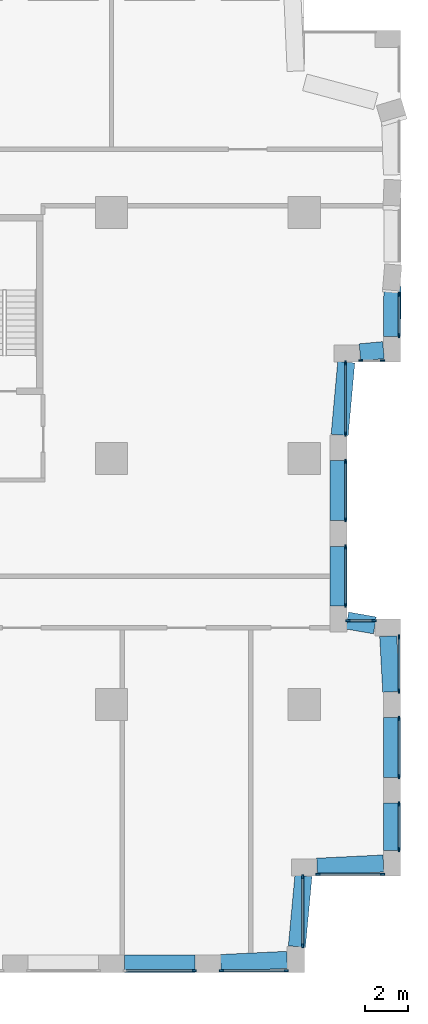
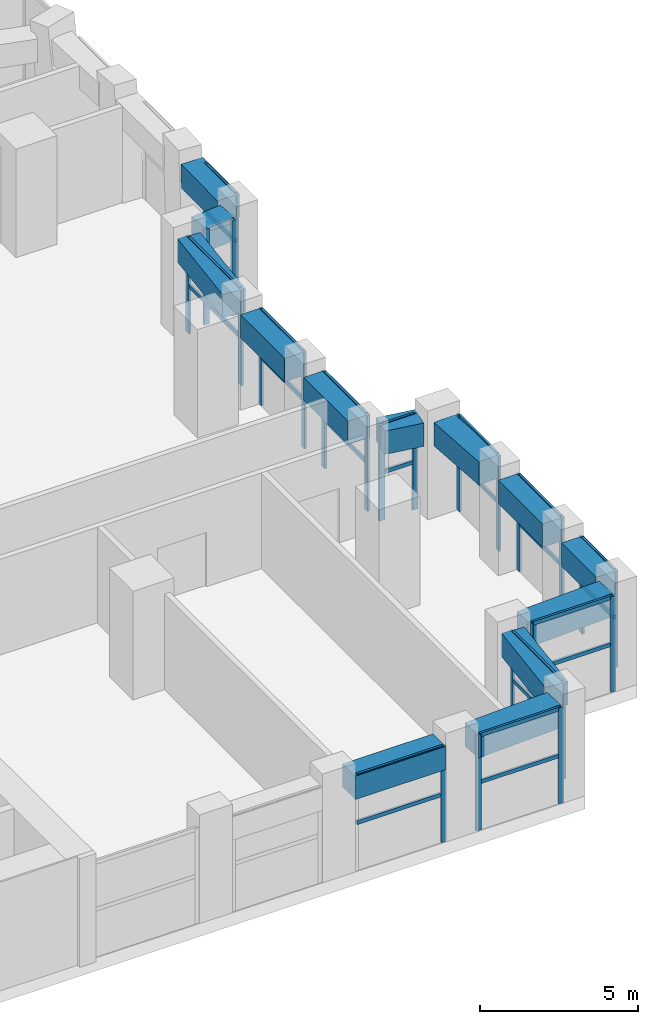
# One storey, part 10 of 20: 49 members, 13 beams, 13 elements without a shape of their own.
"""IFC4 building model written with IfcOpenShell, lengths in metres."""

from ifc_helpers import new_model, si_unit, direction, frame, origin, origin_2d, place, context, subcontext, project, spatial, rectangle, extrude, material, layer, layer_set, material_profile, profile_set, type_object, element, aggregate, save


model = new_model("IFC4")

# Units and contexts
model_context = context("Model", 3, precision=1e-05, world=origin(), true_north=direction((0.0, 1.0)))
body_context = subcontext(model_context, "Body", "Model", "MODEL_VIEW")
ifc_project = project(units=[si_unit("LENGTHUNIT", "METRE"), si_unit("AREAUNIT", "SQUARE_METRE"), si_unit("VOLUMEUNIT", "CUBIC_METRE"), si_unit("PLANEANGLEUNIT", "RADIAN"), si_unit("MASSUNIT", "GRAM", prefix="KILO")], contexts=[model_context])

# Site, building, storey
site_placement = place(None, origin())
site = spatial("IfcSite", under=ifc_project, at=site_placement, CompositionType="ELEMENT")
building_placement = place(site_placement, origin())
building = spatial("IfcBuilding", under=site, at=building_placement, Name="Brigalow Station Residences", CompositionType="ELEMENT")
storey_placement = place(building_placement, frame((0.0, 0.0, 73.050048828125)))
storey = spatial("IfcBuildingStorey", under=building, at=storey_placement, Name="L21", CompositionType="ELEMENT", Elevation=73.050048828125)

# Beams
ifc_material_1 = material(Name="Concrete C65", Category="concrete")
ifc_material_profile_1 = material_profile(ifc_material_1, rectangle(XDim=0.800048828125, YDim=0.89990234375, at=origin_2d()), Name="RC800x900")
ifc_profile_set_1 = profile_set([ifc_material_profile_1], Name="Concrete C65")
beam_type = type_object("IfcBeamType", Name="KINK TIE BEAM 800x900 C65", PredefinedType="BEAM", material=ifc_profile_set_1)
beam_1_placement = place(storey_placement, frame((63.60009765625, 0.39990234375, 3.25), z_axis=(1.0, 0.0, 0.0), x_axis=(0.0, 1.0, 0.0)))
element("IfcBeam", 1, at=beam_1_placement, inside=storey, type_object=beam_type, Name="KINK TIE BEAM 3 L21", PredefinedType="BEAM", context=body_context, shape_type="SweptSolid", body=[
    extrude(rectangle(XDim=0.800048828125, YDim=0.89990234375, at=origin_2d()), origin(), (0.0, 0.0, 1.0), 3.2998046875),
])
beam_2_placement = place(storey_placement, frame((68.10009765625, 0.42919921875, 3.25), z_axis=(0.99880992224, 0.048772320374, 0.0), x_axis=(-0.048772320374, 0.99880992224, 0.0)))
element("IfcBeam", 2, at=beam_2_placement, inside=storey, type_object=beam_type, Name="KINK TIE BEAM 4 L21", PredefinedType="BEAM", context=body_context, shape_type="SweptSolid", body=[
    extrude(rectangle(XDim=0.800048828125, YDim=0.89990234375, at=origin_2d()), origin(), (0.0, 0.0, 1.0), 3.103515625),
])
beam_3_placement = place(storey_placement, frame((71.65576171875, 1.199951171875, 3.25), z_axis=(0.09266752689, 0.995697107287, 0.0), x_axis=(-0.995697107287, 0.09266752689, 0.0)))
element("IfcBeam", 3, at=beam_3_placement, inside=storey, type_object=beam_type, Name="KINK TIE BEAM 5 L21", PredefinedType="BEAM", context=body_context, shape_type="SweptSolid", body=[
    extrude(rectangle(XDim=0.800048828125, YDim=0.89990234375, at=origin_2d()), origin(), (0.0, 0.0, 1.0), 3.314208984375),
])
beam_4_placement = place(storey_placement, frame((72.60009765625, 4.92919921875, 3.25), z_axis=(0.99880992224, 0.048772320374, 0.0), x_axis=(-0.048772320374, 0.99880992224, 0.0)))
element("IfcBeam", 4, at=beam_4_placement, inside=storey, type_object=beam_type, Name="KINK TIE BEAM 6 L21", PredefinedType="BEAM", context=body_context, shape_type="SweptSolid", body=[
    extrude(rectangle(XDim=0.800048828125, YDim=0.89990234375, at=origin_2d()), origin(), (0.0, 0.0, 1.0), 3.103515625),
])
beam_5_placement = place(storey_placement, frame((76.10009765625, 5.699951171875, 3.25), z_axis=(0.0, 1.0, 0.0), x_axis=(-1.0, 0.0, 0.0)))
element("IfcBeam", 5, at=beam_5_placement, inside=storey, type_object=beam_type, Name="KINK TIE BEAM 7 L21", PredefinedType="BEAM", context=body_context, shape_type="SweptSolid", body=[
    extrude(rectangle(XDim=0.800048828125, YDim=0.89990234375, at=origin_2d()), origin(), (0.0, 0.0, 1.0), 2.199951171875),
])
beam_6_placement = place(storey_placement, frame((76.10009765625, 9.10009765625, 3.25), z_axis=(0.0, 1.0, 0.0), x_axis=(-1.0, 0.0, 0.0)))
element("IfcBeam", 6, at=beam_6_placement, inside=storey, type_object=beam_type, Name="KINK TIE BEAM 8 L21", PredefinedType="BEAM", context=body_context, shape_type="SweptSolid", body=[
    extrude(rectangle(XDim=0.800048828125, YDim=0.89990234375, at=origin_2d()), origin(), (0.0, 0.0, 1.0), 2.7998046875),
])
beam_7_placement = place(storey_placement, frame((76.066650390625, 13.10009765625, 3.25), z_axis=(-0.055506369911, 0.998458333081, 0.0), x_axis=(-0.998458333081, -0.055506369911, 0.0)))
element("IfcBeam", 7, at=beam_7_placement, inside=storey, type_object=beam_type, Name="KINK TIE BEAM 9 L21", PredefinedType="BEAM", context=body_context, shape_type="SweptSolid", body=[
    extrude(rectangle(XDim=0.800048828125, YDim=0.89990234375, at=origin_2d()), origin(), (0.0, 0.0, 1.0), 2.603759765625),
])
beam_8_placement = place(storey_placement, frame((75.300048828125, 16.204345703125, 3.25), z_axis=(-0.985196723859, 0.171427580328, 0.0), x_axis=(-0.171427580328, -0.985196723859, 0.0)))
element("IfcBeam", 8, at=beam_8_placement, inside=storey, type_object=beam_type, Name="KINK TIE BEAM 10 L21", PredefinedType="BEAM", context=body_context, shape_type="SweptSolid", body=[
    extrude(rectangle(XDim=0.800048828125, YDim=0.89990234375, at=origin_2d()), origin(), (0.0, 0.0, 1.0), 1.311767578125),
])
for number, where, z_axis, x_axis, name in (
    (9, (73.60009765625, 17.10009765625, 3.25), (0.0, 1.0, 0.0), (-1.0, 0.0, 0.0), "KINK TIE BEAM 11 L21"),
    (10, (73.60009765625, 21.10009765625, 3.25), (0.0, 1.0, 0.0), (-1.0, 0.0, 0.0), "KINK TIE BEAM 12 L21"),
):
    element("IfcBeam", number, at=place(storey_placement, frame(where, z_axis=z_axis, x_axis=x_axis)), inside=storey, type_object=beam_type, Name=name, PredefinedType="BEAM", context=body_context, shape_type="SweptSolid", body=[
        extrude(rectangle(XDim=0.800048828125, YDim=0.89990234375, at=origin_2d()), origin(), (0.0, 0.0, 1.0), 2.7998046875),
    ])
beam_9_placement = place(storey_placement, frame((73.654541015625, 25.10009765625, 3.25), z_axis=(0.090535746043, 0.995893206468, 0.0), x_axis=(-0.995893206468, 0.090535746043, 0.0)))
element("IfcBeam", 11, at=beam_9_placement, inside=storey, type_object=beam_type, Name="KINK TIE BEAM 13 L21", PredefinedType="BEAM", context=body_context, shape_type="SweptSolid", body=[
    extrude(rectangle(XDim=0.800048828125, YDim=0.89990234375, at=origin_2d()), origin(), (0.0, 0.0, 1.0), 3.413818359375),
])
beam_10_placement = place(storey_placement, frame((74.60009765625, 28.95703125, 3.25), z_axis=(0.995475588161, 0.095017647705, 0.0), x_axis=(-0.095017647705, 0.995475588161, 0.0)))
element("IfcBeam", 12, at=beam_10_placement, inside=storey, type_object=beam_type, Name="KINK TIE BEAM 14 L21", PredefinedType="BEAM", context=body_context, shape_type="SweptSolid", body=[
    extrude(rectangle(XDim=0.800048828125, YDim=0.89990234375, at=origin_2d()), origin(), (0.0, 0.0, 1.0), 1.104736328125),
])
beam_11_placement = place(storey_placement, frame((76.103271484375, 29.699951171875, 3.25), z_axis=(0.005555469824, 0.999984568258, 0.0), x_axis=(-0.999984568258, 0.005555469824, 0.0)))
element("IfcBeam", 13, at=beam_11_placement, inside=storey, type_object=beam_type, Name="KINK TIE BEAM 15 L21", PredefinedType="BEAM", context=body_context, shape_type="SweptSolid", body=[
    extrude(rectangle(XDim=0.800048828125, YDim=0.89990234375, at=origin_2d()), origin(), (0.0, 0.0, 1.0), 2.3291015625),
])

# Curtain wall, member
ifc_material_2 = material(Name="Aluminium", Category="aluminium")
ifc_layer = layer(ifc_material_2, 0.199951171875)
ifc_layer_set = layer_set([ifc_layer], Name="REFUGE FLOOR LOUVRE CURTAIN WALL")
curtain_wall_type = type_object("IfcCurtainWallType", Name="REFUGE FLOOR LOUVRE CURTAIN WALL", PredefinedType="NOTDEFINED", material=ifc_layer_set)
curtain_wall_1_placement = place(storey_placement, origin())
curtain_wall_1 = element("IfcCurtainWall", 14, at=curtain_wall_1_placement, inside=storey, type_object=curtain_wall_type, Name="L21/cw/louvre-W-L21-5-6", PredefinedType="NOTDEFINED")
ifc_material_3 = material(Name="Aluminium", Category="aluminium")
ifc_material_profile_2 = material_profile(ifc_material_3, rectangle(XDim=0.080078125, YDim=0.199951171875, at=origin_2d()), Name="REFUGE FLOOR LOUVRE MULLION 80x200")
ifc_profile_set_2 = profile_set([ifc_material_profile_2], Name="Aluminium")
member_type_1 = type_object("IfcMemberType", Name="REFUGE FLOOR LOUVRE MULLION 80x200", PredefinedType="MULLION", material=ifc_profile_set_2)
member_1_placement = place(storey_placement, frame((66.860107421875, 0.074951171875, 0.0), z_axis=(0.0, 0.0, 1.0), x_axis=(0.0, 1.0, 0.0)))
member_1 = element("IfcMember", 15, at=member_1_placement, type_object=member_type_1, Name="L21/cw/louvre-W-L21-5-6/M01", PredefinedType="MULLION", context=body_context, shape_type="SweptSolid", body=[
    extrude(rectangle(XDim=0.080078125, YDim=0.199951171875, at=origin_2d()), origin(), (0.0, 0.0, 1.0), 3.699951171875),
])

# Curtain wall, members
curtain_wall_2_placement = place(storey_placement, origin())
curtain_wall_2 = element("IfcCurtainWall", 16, at=curtain_wall_2_placement, inside=storey, type_object=curtain_wall_type, Name="L21/cw/louvre-W-L21-5-7", PredefinedType="NOTDEFINED")
member_2_placement = place(storey_placement, frame((68.139892578125, 0.074951171875, 0.0), z_axis=(0.0, 0.0, 1.0), x_axis=(0.0, 1.0, 0.0)))
member_2 = element("IfcMember", 17, at=member_2_placement, type_object=member_type_1, Name="L21/cw/louvre-W-L21-5-7/M00", PredefinedType="MULLION", context=body_context, shape_type="SweptSolid", body=[
    extrude(rectangle(XDim=0.080078125, YDim=0.199951171875, at=origin_2d()), origin(), (0.0, 0.0, 1.0), 3.699951171875),
])
member_3_placement = place(storey_placement, frame((71.159912109375, 0.074951171875, 0.0), z_axis=(0.0, 0.0, 1.0), x_axis=(0.0, 1.0, 0.0)))
member_3 = element("IfcMember", 18, at=member_3_placement, type_object=member_type_1, Name="L21/cw/louvre-W-L21-5-7/M01", PredefinedType="MULLION", context=body_context, shape_type="SweptSolid", body=[
    extrude(rectangle(XDim=0.080078125, YDim=0.199951171875, at=origin_2d()), origin(), (0.0, 0.0, 1.0), 3.699951171875),
])

curtain_wall_3_placement = place(storey_placement, origin())
curtain_wall_3 = element("IfcCurtainWall", 19, at=curtain_wall_3_placement, inside=storey, type_object=curtain_wall_type, Name="L21/cw/louvre-W-L21-9-8", PredefinedType="NOTDEFINED")
member_4_placement = place(storey_placement, frame((71.925048828125, 1.239990234375, 0.0), z_axis=(0.0, 0.0, 1.0), x_axis=(-1.0, 0.0, 0.0)))
member_4 = element("IfcMember", 20, at=member_4_placement, type_object=member_type_1, Name="L21/cw/louvre-W-L21-9-8/M00", PredefinedType="MULLION", context=body_context, shape_type="SweptSolid", body=[
    extrude(rectangle(XDim=0.080078125, YDim=0.199951171875, at=origin_2d()), origin(), (0.0, 0.0, 1.0), 3.699951171875),
])
member_5_placement = place(storey_placement, frame((71.925048828125, 4.4599609375, 0.0), z_axis=(0.0, 0.0, 1.0), x_axis=(-1.0, 0.0, 0.0)))
member_5 = element("IfcMember", 21, at=member_5_placement, type_object=member_type_1, Name="L21/cw/louvre-W-L21-9-8/M01", PredefinedType="MULLION", context=body_context, shape_type="SweptSolid", body=[
    extrude(rectangle(XDim=0.080078125, YDim=0.199951171875, at=origin_2d()), origin(), (0.0, 0.0, 1.0), 3.699951171875),
])

curtain_wall_4_placement = place(storey_placement, origin())
curtain_wall_4 = element("IfcCurtainWall", 22, at=curtain_wall_4_placement, inside=storey, type_object=curtain_wall_type, Name="L21/cw/louvre-W-L21-10-9", PredefinedType="NOTDEFINED")
member_6_placement = place(storey_placement, frame((72.639892578125, 4.574951171875, 0.0), z_axis=(0.0, 0.0, 1.0), x_axis=(0.0, 1.0, 0.0)))
member_6 = element("IfcMember", 23, at=member_6_placement, type_object=member_type_1, Name="L21/cw/louvre-W-L21-10-9/M00", PredefinedType="MULLION", context=body_context, shape_type="SweptSolid", body=[
    extrude(rectangle(XDim=0.080078125, YDim=0.199951171875, at=origin_2d()), origin(), (0.0, 0.0, 1.0), 3.699951171875),
])
member_7_placement = place(storey_placement, frame((75.659912109375, 4.574951171875, 0.0), z_axis=(0.0, 0.0, 1.0), x_axis=(0.0, 1.0, 0.0)))
member_7 = element("IfcMember", 24, at=member_7_placement, type_object=member_type_1, Name="L21/cw/louvre-W-L21-10-9/M01", PredefinedType="MULLION", context=body_context, shape_type="SweptSolid", body=[
    extrude(rectangle(XDim=0.080078125, YDim=0.199951171875, at=origin_2d()), origin(), (0.0, 0.0, 1.0), 3.699951171875),
])

curtain_wall_5_placement = place(storey_placement, origin())
curtain_wall_5 = element("IfcCurtainWall", 25, at=curtain_wall_5_placement, inside=storey, type_object=curtain_wall_type, Name="L21/cw/louvre-W-L21-11-10", PredefinedType="NOTDEFINED")
member_8_placement = place(storey_placement, frame((76.425048828125, 5.739990234375, 0.0), z_axis=(0.0, 0.0, 1.0), x_axis=(-1.0, 0.0, 0.0)))
member_8 = element("IfcMember", 26, at=member_8_placement, type_object=member_type_1, Name="L21/cw/louvre-W-L21-11-10/M00", PredefinedType="MULLION", context=body_context, shape_type="SweptSolid", body=[
    extrude(rectangle(XDim=0.080078125, YDim=0.199951171875, at=origin_2d()), origin(), (0.0, 0.0, 1.0), 3.699951171875),
])
member_9_placement = place(storey_placement, frame((76.425048828125, 7.860107421875, 0.0), z_axis=(0.0, 0.0, 1.0), x_axis=(-1.0, 0.0, 0.0)))
member_9 = element("IfcMember", 27, at=member_9_placement, type_object=member_type_1, Name="L21/cw/louvre-W-L21-11-10/M01", PredefinedType="MULLION", context=body_context, shape_type="SweptSolid", body=[
    extrude(rectangle(XDim=0.080078125, YDim=0.199951171875, at=origin_2d()), origin(), (0.0, 0.0, 1.0), 3.699951171875),
])

curtain_wall_6_placement = place(storey_placement, origin())
curtain_wall_6 = element("IfcCurtainWall", 28, at=curtain_wall_6_placement, inside=storey, type_object=curtain_wall_type, Name="L21/cw/louvre-W-L21-11-11", PredefinedType="NOTDEFINED")
member_10_placement = place(storey_placement, frame((76.425048828125, 9.139892578125, 0.0), z_axis=(0.0, 0.0, 1.0), x_axis=(-1.0, 0.0, 0.0)))
member_10 = element("IfcMember", 29, at=member_10_placement, type_object=member_type_1, Name="L21/cw/louvre-W-L21-11-11/M00", PredefinedType="MULLION", context=body_context, shape_type="SweptSolid", body=[
    extrude(rectangle(XDim=0.080078125, YDim=0.199951171875, at=origin_2d()), origin(), (0.0, 0.0, 1.0), 3.699951171875),
])
member_11_placement = place(storey_placement, frame((76.425048828125, 11.860107421875, 0.0), z_axis=(0.0, 0.0, 1.0), x_axis=(-1.0, 0.0, 0.0)))
member_11 = element("IfcMember", 30, at=member_11_placement, type_object=member_type_1, Name="L21/cw/louvre-W-L21-11-11/M01", PredefinedType="MULLION", context=body_context, shape_type="SweptSolid", body=[
    extrude(rectangle(XDim=0.080078125, YDim=0.199951171875, at=origin_2d()), origin(), (0.0, 0.0, 1.0), 3.699951171875),
])

curtain_wall_7_placement = place(storey_placement, origin())
curtain_wall_7 = element("IfcCurtainWall", 31, at=curtain_wall_7_placement, inside=storey, type_object=curtain_wall_type, Name="L21/cw/louvre-W-L21-11-12", PredefinedType="NOTDEFINED")
member_12_placement = place(storey_placement, frame((76.425048828125, 13.139892578125, 0.0), z_axis=(0.0, 0.0, 1.0), x_axis=(-1.0, 0.0, 0.0)))
member_12 = element("IfcMember", 32, at=member_12_placement, type_object=member_type_1, Name="L21/cw/louvre-W-L21-11-12/M00", PredefinedType="MULLION", context=body_context, shape_type="SweptSolid", body=[
    extrude(rectangle(XDim=0.080078125, YDim=0.199951171875, at=origin_2d()), origin(), (0.0, 0.0, 1.0), 3.699951171875),
])
member_13_placement = place(storey_placement, frame((76.425048828125, 15.659912109375, 0.0), z_axis=(0.0, 0.0, 1.0), x_axis=(-1.0, 0.0, 0.0)))
member_13 = element("IfcMember", 33, at=member_13_placement, type_object=member_type_1, Name="L21/cw/louvre-W-L21-11-12/M01", PredefinedType="MULLION", context=body_context, shape_type="SweptSolid", body=[
    extrude(rectangle(XDim=0.080078125, YDim=0.199951171875, at=origin_2d()), origin(), (0.0, 0.0, 1.0), 3.699951171875),
])

curtain_wall_8_placement = place(storey_placement, origin())
curtain_wall_8 = element("IfcCurtainWall", 34, at=curtain_wall_8_placement, inside=storey, type_object=curtain_wall_type, Name="L21/cw/louvre-W-L21-14-13", PredefinedType="NOTDEFINED")
member_14_placement = place(storey_placement, frame((75.260009765625, 16.425048828125, 0.0), z_axis=(0.0, 0.0, 1.0), x_axis=(0.0, -1.0, 0.0)))
member_14 = element("IfcMember", 35, at=member_14_placement, type_object=member_type_1, Name="L21/cw/louvre-W-L21-14-13/M00", PredefinedType="MULLION", context=body_context, shape_type="SweptSolid", body=[
    extrude(rectangle(XDim=0.080078125, YDim=0.199951171875, at=origin_2d()), origin(), (0.0, 0.0, 1.0), 3.699951171875),
])
member_15_placement = place(storey_placement, frame((74.0400390625, 16.425048828125, 0.0), z_axis=(0.0, 0.0, 1.0), x_axis=(0.0, -1.0, 0.0)))
member_15 = element("IfcMember", 36, at=member_15_placement, type_object=member_type_1, Name="L21/cw/louvre-W-L21-14-13/M01", PredefinedType="MULLION", context=body_context, shape_type="SweptSolid", body=[
    extrude(rectangle(XDim=0.080078125, YDim=0.199951171875, at=origin_2d()), origin(), (0.0, 0.0, 1.0), 3.699951171875),
])

curtain_wall_9_placement = place(storey_placement, origin())
curtain_wall_9 = element("IfcCurtainWall", 37, at=curtain_wall_9_placement, inside=storey, type_object=curtain_wall_type, Name="L21/cw/louvre-W-L21-15-14", PredefinedType="NOTDEFINED")
member_16_placement = place(storey_placement, frame((73.925048828125, 17.139892578125, 0.0), z_axis=(0.0, 0.0, 1.0), x_axis=(-1.0, 0.0, 0.0)))
member_16 = element("IfcMember", 38, at=member_16_placement, type_object=member_type_1, Name="L21/cw/louvre-W-L21-15-14/M00", PredefinedType="MULLION", context=body_context, shape_type="SweptSolid", body=[
    extrude(rectangle(XDim=0.080078125, YDim=0.199951171875, at=origin_2d()), origin(), (0.0, 0.0, 1.0), 3.699951171875),
])
member_17_placement = place(storey_placement, frame((73.925048828125, 19.860107421875, 0.0), z_axis=(0.0, 0.0, 1.0), x_axis=(-1.0, 0.0, 0.0)))
member_17 = element("IfcMember", 39, at=member_17_placement, type_object=member_type_1, Name="L21/cw/louvre-W-L21-15-14/M01", PredefinedType="MULLION", context=body_context, shape_type="SweptSolid", body=[
    extrude(rectangle(XDim=0.080078125, YDim=0.199951171875, at=origin_2d()), origin(), (0.0, 0.0, 1.0), 3.699951171875),
])

curtain_wall_10_placement = place(storey_placement, origin())
curtain_wall_10 = element("IfcCurtainWall", 40, at=curtain_wall_10_placement, inside=storey, type_object=curtain_wall_type, Name="L21/cw/louvre-W-L21-15-15", PredefinedType="NOTDEFINED")
member_18_placement = place(storey_placement, frame((73.925048828125, 21.139892578125, 0.0), z_axis=(0.0, 0.0, 1.0), x_axis=(-1.0, 0.0, 0.0)))
member_18 = element("IfcMember", 41, at=member_18_placement, type_object=member_type_1, Name="L21/cw/louvre-W-L21-15-15/M00", PredefinedType="MULLION", context=body_context, shape_type="SweptSolid", body=[
    extrude(rectangle(XDim=0.080078125, YDim=0.199951171875, at=origin_2d()), origin(), (0.0, 0.0, 1.0), 3.699951171875),
])
member_19_placement = place(storey_placement, frame((73.925048828125, 23.860107421875, 0.0), z_axis=(0.0, 0.0, 1.0), x_axis=(-1.0, 0.0, 0.0)))
member_19 = element("IfcMember", 42, at=member_19_placement, type_object=member_type_1, Name="L21/cw/louvre-W-L21-15-15/M01", PredefinedType="MULLION", context=body_context, shape_type="SweptSolid", body=[
    extrude(rectangle(XDim=0.080078125, YDim=0.199951171875, at=origin_2d()), origin(), (0.0, 0.0, 1.0), 3.699951171875),
])

curtain_wall_11_placement = place(storey_placement, origin())
curtain_wall_11 = element("IfcCurtainWall", 43, at=curtain_wall_11_placement, inside=storey, type_object=curtain_wall_type, Name="L21/cw/louvre-W-L21-15-16", PredefinedType="NOTDEFINED")
member_20_placement = place(storey_placement, frame((73.925048828125, 25.139892578125, 0.0), z_axis=(0.0, 0.0, 1.0), x_axis=(-1.0, 0.0, 0.0)))
member_20 = element("IfcMember", 44, at=member_20_placement, type_object=member_type_1, Name="L21/cw/louvre-W-L21-15-16/M00", PredefinedType="MULLION", context=body_context, shape_type="SweptSolid", body=[
    extrude(rectangle(XDim=0.080078125, YDim=0.199951171875, at=origin_2d()), origin(), (0.0, 0.0, 1.0), 3.699951171875),
])
member_21_placement = place(storey_placement, frame((73.925048828125, 28.4599609375, 0.0), z_axis=(0.0, 0.0, 1.0), x_axis=(-1.0, 0.0, 0.0)))
member_21 = element("IfcMember", 45, at=member_21_placement, type_object=member_type_1, Name="L21/cw/louvre-W-L21-15-16/M01", PredefinedType="MULLION", context=body_context, shape_type="SweptSolid", body=[
    extrude(rectangle(XDim=0.080078125, YDim=0.199951171875, at=origin_2d()), origin(), (0.0, 0.0, 1.0), 3.699951171875),
])

curtain_wall_12_placement = place(storey_placement, origin())
curtain_wall_12 = element("IfcCurtainWall", 46, at=curtain_wall_12_placement, inside=storey, type_object=curtain_wall_type, Name="L21/cw/louvre-W-L21-18-17", PredefinedType="NOTDEFINED")
member_22_placement = place(storey_placement, frame((74.639892578125, 28.574951171875, 0.0), z_axis=(0.0, 0.0, 1.0), x_axis=(0.0, 1.0, 0.0)))
member_22 = element("IfcMember", 47, at=member_22_placement, type_object=member_type_1, Name="L21/cw/louvre-W-L21-18-17/M00", PredefinedType="MULLION", context=body_context, shape_type="SweptSolid", body=[
    extrude(rectangle(XDim=0.080078125, YDim=0.199951171875, at=origin_2d()), origin(), (0.0, 0.0, 1.0), 3.699951171875),
])
member_23_placement = place(storey_placement, frame((75.659912109375, 28.574951171875, 0.0), z_axis=(0.0, 0.0, 1.0), x_axis=(0.0, 1.0, 0.0)))
member_23 = element("IfcMember", 48, at=member_23_placement, type_object=member_type_1, Name="L21/cw/louvre-W-L21-18-17/M01", PredefinedType="MULLION", context=body_context, shape_type="SweptSolid", body=[
    extrude(rectangle(XDim=0.080078125, YDim=0.199951171875, at=origin_2d()), origin(), (0.0, 0.0, 1.0), 3.699951171875),
])
aggregate(curtain_wall_12, [member_22, member_23])

curtain_wall_13_placement = place(storey_placement, origin())
curtain_wall_13 = element("IfcCurtainWall", 49, at=curtain_wall_13_placement, inside=storey, type_object=curtain_wall_type, Name="L21/cw/louvre-W-L21-19-18", PredefinedType="NOTDEFINED")
member_24_placement = place(storey_placement, frame((76.425048828125, 29.739990234375, 0.0), z_axis=(0.0, 0.0, 1.0), x_axis=(-1.0, 0.0, 0.0)))
member_24 = element("IfcMember", 50, at=member_24_placement, type_object=member_type_1, Name="L21/cw/louvre-W-L21-19-18/M00", PredefinedType="MULLION", context=body_context, shape_type="SweptSolid", body=[
    extrude(rectangle(XDim=0.080078125, YDim=0.199951171875, at=origin_2d()), origin(), (0.0, 0.0, 1.0), 3.699951171875),
])
member_25_placement = place(storey_placement, frame((76.425048828125, 31.654541015625, 0.0), z_axis=(0.0, 0.0, 1.0), x_axis=(-1.0, 0.0, 0.0)))
member_25 = element("IfcMember", 51, at=member_25_placement, type_object=member_type_1, Name="L21/cw/louvre-W-L21-19-18/M01", PredefinedType="MULLION", context=body_context, shape_type="SweptSolid", body=[
    extrude(rectangle(XDim=0.080078125, YDim=0.199951171875, at=origin_2d()), origin(), (0.0, 0.0, 1.0), 3.699951171875),
])

# Member
ifc_material_4 = material(Name="Aluminium", Category="aluminium")
ifc_material_profile_3 = material_profile(ifc_material_4, rectangle(XDim=0.080078125, YDim=0.14990234375, at=origin_2d()), Name="REFUGE FLOOR LOUVRE TRANSOM 80x150")
ifc_profile_set_3 = profile_set([ifc_material_profile_3], Name="Aluminium")
member_type_2 = type_object("IfcMemberType", Name="REFUGE FLOOR LOUVRE TRANSOM 80x150", PredefinedType="USERDEFINED", material=ifc_profile_set_3)
member_26_placement = place(storey_placement, frame((63.679931640625, 0.074951171875, 1.849853515625), z_axis=(1.0, 0.0, 0.0), x_axis=(0.0, 1.0, 0.0)))
member_26 = element("IfcMember", 52, at=member_26_placement, type_object=member_type_2, Name="L21/cw/louvre-W-L21-5-6/T00-00", ObjectType="TRANSOM", PredefinedType="USERDEFINED", context=body_context, shape_type="SweptSolid", body=[
    extrude(rectangle(XDim=0.080078125, YDim=0.14990234375, at=origin_2d()), origin(), (0.0, 0.0, 1.0), 3.14013671875),
])

member_27_placement = place(storey_placement, frame((63.679931640625, 0.074951171875, 3.659912109375), z_axis=(1.0, 0.0, 0.0), x_axis=(0.0, 1.0, 0.0)))
member_27 = element("IfcMember", 53, at=member_27_placement, type_object=member_type_2, Name="L21/cw/louvre-W-L21-5-6/T00-01", ObjectType="TRANSOM", PredefinedType="USERDEFINED", context=body_context, shape_type="SweptSolid", body=[
    extrude(rectangle(XDim=0.080078125, YDim=0.14990234375, at=origin_2d()), origin(), (0.0, 0.0, 1.0), 3.14013671875),
])

aggregate(curtain_wall_1, [member_1, member_26, member_27])

member_28_placement = place(storey_placement, frame((68.179931640625, 0.074951171875, 1.849853515625), z_axis=(1.0, 0.0, 0.0), x_axis=(0.0, 1.0, 0.0)))
member_28 = element("IfcMember", 54, at=member_28_placement, type_object=member_type_2, Name="L21/cw/louvre-W-L21-5-7/T00-00", ObjectType="TRANSOM", PredefinedType="USERDEFINED", context=body_context, shape_type="SweptSolid", body=[
    extrude(rectangle(XDim=0.080078125, YDim=0.14990234375, at=origin_2d()), origin(), (0.0, 0.0, 1.0), 2.940185546875),
])

member_29_placement = place(storey_placement, frame((68.179931640625, 0.074951171875, 3.659912109375), z_axis=(1.0, 0.0, 0.0), x_axis=(0.0, 1.0, 0.0)))
member_29 = element("IfcMember", 55, at=member_29_placement, type_object=member_type_2, Name="L21/cw/louvre-W-L21-5-7/T00-01", ObjectType="TRANSOM", PredefinedType="USERDEFINED", context=body_context, shape_type="SweptSolid", body=[
    extrude(rectangle(XDim=0.080078125, YDim=0.14990234375, at=origin_2d()), origin(), (0.0, 0.0, 1.0), 2.940185546875),
])

aggregate(curtain_wall_2, [member_2, member_3, member_28, member_29])

member_30_placement = place(storey_placement, frame((71.925048828125, 1.280029296875, 1.849853515625), z_axis=(0.0, 1.0, 0.0), x_axis=(-1.0, 0.0, 0.0)))
member_30 = element("IfcMember", 56, at=member_30_placement, type_object=member_type_2, Name="L21/cw/louvre-W-L21-9-8/T00-00", ObjectType="TRANSOM", PredefinedType="USERDEFINED", context=body_context, shape_type="SweptSolid", body=[
    extrude(rectangle(XDim=0.080078125, YDim=0.14990234375, at=origin_2d()), origin(), (0.0, 0.0, 1.0), 3.139892578125),
])

member_31_placement = place(storey_placement, frame((71.925048828125, 1.280029296875, 3.659912109375), z_axis=(0.0, 1.0, 0.0), x_axis=(-1.0, 0.0, 0.0)))
member_31 = element("IfcMember", 57, at=member_31_placement, type_object=member_type_2, Name="L21/cw/louvre-W-L21-9-8/T00-01", ObjectType="TRANSOM", PredefinedType="USERDEFINED", context=body_context, shape_type="SweptSolid", body=[
    extrude(rectangle(XDim=0.080078125, YDim=0.14990234375, at=origin_2d()), origin(), (0.0, 0.0, 1.0), 3.139892578125),
])

aggregate(curtain_wall_3, [member_4, member_5, member_30, member_31])

member_32_placement = place(storey_placement, frame((72.679931640625, 4.574951171875, 1.849853515625), z_axis=(1.0, 0.0, 0.0), x_axis=(0.0, 1.0, 0.0)))
member_32 = element("IfcMember", 58, at=member_32_placement, type_object=member_type_2, Name="L21/cw/louvre-W-L21-10-9/T00-00", ObjectType="TRANSOM", PredefinedType="USERDEFINED", context=body_context, shape_type="SweptSolid", body=[
    extrude(rectangle(XDim=0.080078125, YDim=0.14990234375, at=origin_2d()), origin(), (0.0, 0.0, 1.0), 2.940185546875),
])

member_33_placement = place(storey_placement, frame((72.679931640625, 4.574951171875, 3.659912109375), z_axis=(1.0, 0.0, 0.0), x_axis=(0.0, 1.0, 0.0)))
member_33 = element("IfcMember", 59, at=member_33_placement, type_object=member_type_2, Name="L21/cw/louvre-W-L21-10-9/T00-01", ObjectType="TRANSOM", PredefinedType="USERDEFINED", context=body_context, shape_type="SweptSolid", body=[
    extrude(rectangle(XDim=0.080078125, YDim=0.14990234375, at=origin_2d()), origin(), (0.0, 0.0, 1.0), 2.940185546875),
])

aggregate(curtain_wall_4, [member_6, member_7, member_32, member_33])

member_34_placement = place(storey_placement, frame((76.425048828125, 5.780029296875, 1.849853515625), z_axis=(0.0, 1.0, 0.0), x_axis=(-1.0, 0.0, 0.0)))
member_34 = element("IfcMember", 60, at=member_34_placement, type_object=member_type_2, Name="L21/cw/louvre-W-L21-11-10/T00-00", ObjectType="TRANSOM", PredefinedType="USERDEFINED", context=body_context, shape_type="SweptSolid", body=[
    extrude(rectangle(XDim=0.080078125, YDim=0.14990234375, at=origin_2d()), origin(), (0.0, 0.0, 1.0), 2.0400390625),
])

member_35_placement = place(storey_placement, frame((76.425048828125, 5.780029296875, 3.659912109375), z_axis=(0.0, 1.0, 0.0), x_axis=(-1.0, 0.0, 0.0)))
member_35 = element("IfcMember", 61, at=member_35_placement, type_object=member_type_2, Name="L21/cw/louvre-W-L21-11-10/T00-01", ObjectType="TRANSOM", PredefinedType="USERDEFINED", context=body_context, shape_type="SweptSolid", body=[
    extrude(rectangle(XDim=0.080078125, YDim=0.14990234375, at=origin_2d()), origin(), (0.0, 0.0, 1.0), 2.0400390625),
])

aggregate(curtain_wall_5, [member_8, member_9, member_34, member_35])

member_36_placement = place(storey_placement, frame((76.425048828125, 9.179931640625, 1.849853515625), z_axis=(0.0, 1.0, 0.0), x_axis=(-1.0, 0.0, 0.0)))
member_36 = element("IfcMember", 62, at=member_36_placement, type_object=member_type_2, Name="L21/cw/louvre-W-L21-11-11/T00-00", ObjectType="TRANSOM", PredefinedType="USERDEFINED", context=body_context, shape_type="SweptSolid", body=[
    extrude(rectangle(XDim=0.080078125, YDim=0.14990234375, at=origin_2d()), origin(), (0.0, 0.0, 1.0), 2.64013671875),
])

member_37_placement = place(storey_placement, frame((76.425048828125, 9.179931640625, 3.659912109375), z_axis=(0.0, 1.0, 0.0), x_axis=(-1.0, 0.0, 0.0)))
member_37 = element("IfcMember", 63, at=member_37_placement, type_object=member_type_2, Name="L21/cw/louvre-W-L21-11-11/T00-01", ObjectType="TRANSOM", PredefinedType="USERDEFINED", context=body_context, shape_type="SweptSolid", body=[
    extrude(rectangle(XDim=0.080078125, YDim=0.14990234375, at=origin_2d()), origin(), (0.0, 0.0, 1.0), 2.64013671875),
])

aggregate(curtain_wall_6, [member_10, member_11, member_36, member_37])

member_38_placement = place(storey_placement, frame((76.425048828125, 13.179931640625, 1.849853515625), z_axis=(0.0, 1.0, 0.0), x_axis=(-1.0, 0.0, 0.0)))
member_38 = element("IfcMember", 64, at=member_38_placement, type_object=member_type_2, Name="L21/cw/louvre-W-L21-11-12/T00-00", ObjectType="TRANSOM", PredefinedType="USERDEFINED", context=body_context, shape_type="SweptSolid", body=[
    extrude(rectangle(XDim=0.080078125, YDim=0.14990234375, at=origin_2d()), origin(), (0.0, 0.0, 1.0), 2.440185546875),
])

member_39_placement = place(storey_placement, frame((76.425048828125, 13.179931640625, 3.659912109375), z_axis=(0.0, 1.0, 0.0), x_axis=(-1.0, 0.0, 0.0)))
member_39 = element("IfcMember", 65, at=member_39_placement, type_object=member_type_2, Name="L21/cw/louvre-W-L21-11-12/T00-01", ObjectType="TRANSOM", PredefinedType="USERDEFINED", context=body_context, shape_type="SweptSolid", body=[
    extrude(rectangle(XDim=0.080078125, YDim=0.14990234375, at=origin_2d()), origin(), (0.0, 0.0, 1.0), 2.440185546875),
])

aggregate(curtain_wall_7, [member_12, member_13, member_38, member_39])

member_40_placement = place(storey_placement, frame((75.219970703125, 16.425048828125, 1.849853515625), z_axis=(-1.0, 0.0, 0.0), x_axis=(0.0, -1.0, 0.0)))
member_40 = element("IfcMember", 66, at=member_40_placement, type_object=member_type_2, Name="L21/cw/louvre-W-L21-14-13/T00-00", ObjectType="TRANSOM", PredefinedType="USERDEFINED", context=body_context, shape_type="SweptSolid", body=[
    extrude(rectangle(XDim=0.080078125, YDim=0.14990234375, at=origin_2d()), origin(), (0.0, 0.0, 1.0), 1.139892578125),
])

member_41_placement = place(storey_placement, frame((75.219970703125, 16.425048828125, 3.659912109375), z_axis=(-1.0, 0.0, 0.0), x_axis=(0.0, -1.0, 0.0)))
member_41 = element("IfcMember", 67, at=member_41_placement, type_object=member_type_2, Name="L21/cw/louvre-W-L21-14-13/T00-01", ObjectType="TRANSOM", PredefinedType="USERDEFINED", context=body_context, shape_type="SweptSolid", body=[
    extrude(rectangle(XDim=0.080078125, YDim=0.14990234375, at=origin_2d()), origin(), (0.0, 0.0, 1.0), 1.139892578125),
])

aggregate(curtain_wall_8, [member_14, member_15, member_40, member_41])

member_42_placement = place(storey_placement, frame((73.925048828125, 17.179931640625, 1.849853515625), z_axis=(0.0, 1.0, 0.0), x_axis=(-1.0, 0.0, 0.0)))
member_42 = element("IfcMember", 68, at=member_42_placement, type_object=member_type_2, Name="L21/cw/louvre-W-L21-15-14/T00-00", ObjectType="TRANSOM", PredefinedType="USERDEFINED", context=body_context, shape_type="SweptSolid", body=[
    extrude(rectangle(XDim=0.080078125, YDim=0.14990234375, at=origin_2d()), origin(), (0.0, 0.0, 1.0), 2.64013671875),
])

member_43_placement = place(storey_placement, frame((73.925048828125, 17.179931640625, 3.659912109375), z_axis=(0.0, 1.0, 0.0), x_axis=(-1.0, 0.0, 0.0)))
member_43 = element("IfcMember", 69, at=member_43_placement, type_object=member_type_2, Name="L21/cw/louvre-W-L21-15-14/T00-01", ObjectType="TRANSOM", PredefinedType="USERDEFINED", context=body_context, shape_type="SweptSolid", body=[
    extrude(rectangle(XDim=0.080078125, YDim=0.14990234375, at=origin_2d()), origin(), (0.0, 0.0, 1.0), 2.64013671875),
])

aggregate(curtain_wall_9, [member_16, member_17, member_42, member_43])

member_44_placement = place(storey_placement, frame((73.925048828125, 21.179931640625, 1.849853515625), z_axis=(0.0, 1.0, 0.0), x_axis=(-1.0, 0.0, 0.0)))
member_44 = element("IfcMember", 70, at=member_44_placement, type_object=member_type_2, Name="L21/cw/louvre-W-L21-15-15/T00-00", ObjectType="TRANSOM", PredefinedType="USERDEFINED", context=body_context, shape_type="SweptSolid", body=[
    extrude(rectangle(XDim=0.080078125, YDim=0.14990234375, at=origin_2d()), origin(), (0.0, 0.0, 1.0), 2.64013671875),
])

member_45_placement = place(storey_placement, frame((73.925048828125, 21.179931640625, 3.659912109375), z_axis=(0.0, 1.0, 0.0), x_axis=(-1.0, 0.0, 0.0)))
member_45 = element("IfcMember", 71, at=member_45_placement, type_object=member_type_2, Name="L21/cw/louvre-W-L21-15-15/T00-01", ObjectType="TRANSOM", PredefinedType="USERDEFINED", context=body_context, shape_type="SweptSolid", body=[
    extrude(rectangle(XDim=0.080078125, YDim=0.14990234375, at=origin_2d()), origin(), (0.0, 0.0, 1.0), 2.64013671875),
])

aggregate(curtain_wall_10, [member_18, member_19, member_44, member_45])

member_46_placement = place(storey_placement, frame((73.925048828125, 25.179931640625, 1.849853515625), z_axis=(0.0, 1.0, 0.0), x_axis=(-1.0, 0.0, 0.0)))
member_46 = element("IfcMember", 72, at=member_46_placement, type_object=member_type_2, Name="L21/cw/louvre-W-L21-15-16/T00-00", ObjectType="TRANSOM", PredefinedType="USERDEFINED", context=body_context, shape_type="SweptSolid", body=[
    extrude(rectangle(XDim=0.080078125, YDim=0.14990234375, at=origin_2d()), origin(), (0.0, 0.0, 1.0), 3.239990234375),
])

member_47_placement = place(storey_placement, frame((73.925048828125, 25.179931640625, 3.659912109375), z_axis=(0.0, 1.0, 0.0), x_axis=(-1.0, 0.0, 0.0)))
member_47 = element("IfcMember", 73, at=member_47_placement, type_object=member_type_2, Name="L21/cw/louvre-W-L21-15-16/T00-01", ObjectType="TRANSOM", PredefinedType="USERDEFINED", context=body_context, shape_type="SweptSolid", body=[
    extrude(rectangle(XDim=0.080078125, YDim=0.14990234375, at=origin_2d()), origin(), (0.0, 0.0, 1.0), 3.239990234375),
])

aggregate(curtain_wall_11, [member_20, member_21, member_46, member_47])

member_48_placement = place(storey_placement, frame((76.425048828125, 29.780029296875, 1.849853515625), z_axis=(0.0, 1.0, 0.0), x_axis=(-1.0, 0.0, 0.0)))
member_48 = element("IfcMember", 74, at=member_48_placement, type_object=member_type_2, Name="L21/cw/louvre-W-L21-19-18/T00-00", ObjectType="TRANSOM", PredefinedType="USERDEFINED", context=body_context, shape_type="SweptSolid", body=[
    extrude(rectangle(XDim=0.080078125, YDim=0.14990234375, at=origin_2d()), origin(), (0.0, 0.0, 1.0), 1.83447265625),
])

member_49_placement = place(storey_placement, frame((76.425048828125, 29.780029296875, 3.659912109375), z_axis=(0.0, 1.0, 0.0), x_axis=(-1.0, 0.0, 0.0)))
member_49 = element("IfcMember", 75, at=member_49_placement, type_object=member_type_2, Name="L21/cw/louvre-W-L21-19-18/T00-01", ObjectType="TRANSOM", PredefinedType="USERDEFINED", context=body_context, shape_type="SweptSolid", body=[
    extrude(rectangle(XDim=0.080078125, YDim=0.14990234375, at=origin_2d()), origin(), (0.0, 0.0, 1.0), 1.83447265625),
])

aggregate(curtain_wall_13, [member_24, member_25, member_48, member_49])

save(model, "model.ifc")
